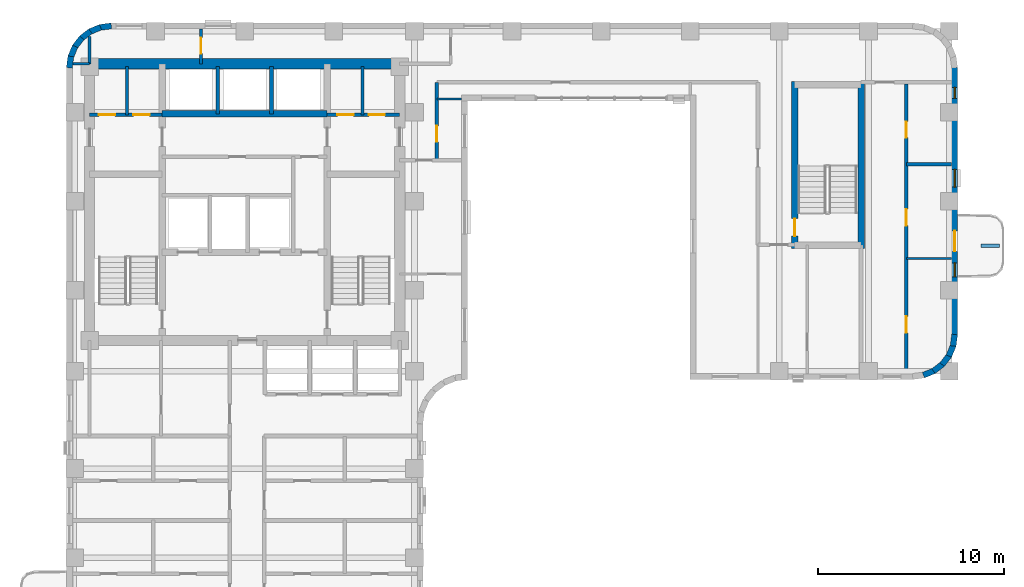
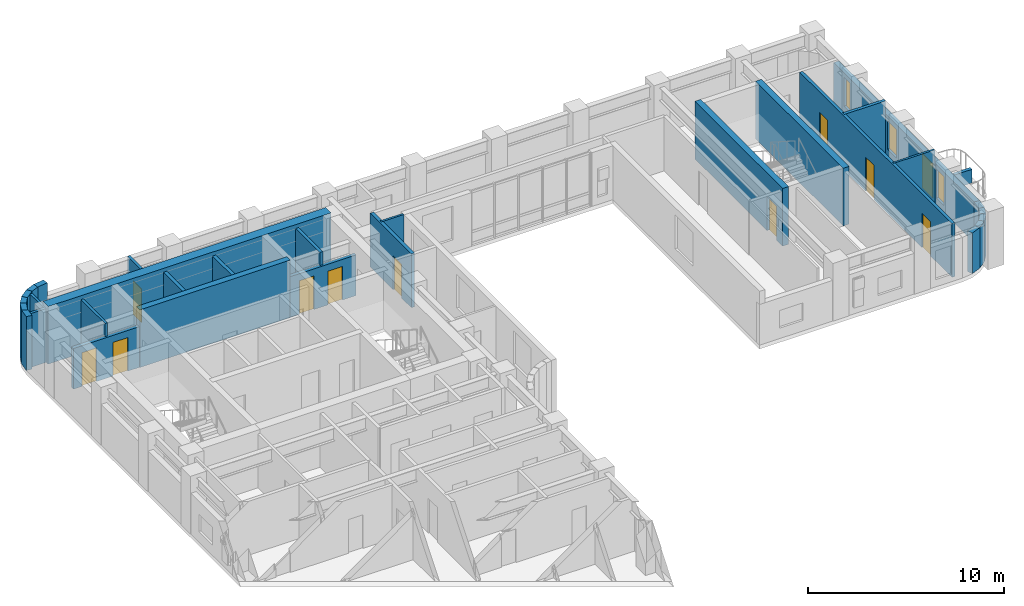
# One storey, part 7 of 11: 31 walls, 11 doors, 3 windows, 14 openings.
"""IFC4 building model written with IfcOpenShell, lengths in metres."""

from ifc_helpers import new_model, si_unit, direction, frame, frame_2d, origin, place, context, subcontext, project, spatial, rectangle, extrude, material, layer, layer_set, type_object, element, fill, save


model = new_model("IFC4")

# Units and contexts
model_context = context("Model", 3, precision=1e-05, world=origin(), true_north=direction((0.0, 1.0)))
body_context = subcontext(model_context, "Body", "Model", "MODEL_VIEW")
ifc_project = project(units=[si_unit("LENGTHUNIT", "METRE"), si_unit("AREAUNIT", "SQUARE_METRE"), si_unit("VOLUMEUNIT", "CUBIC_METRE"), si_unit("PLANEANGLEUNIT", "RADIAN"), si_unit("MASSUNIT", "GRAM", prefix="KILO")], contexts=[model_context])

# Site, building, storey
site_placement = place(None, origin())
site = spatial("IfcSite", under=ifc_project, at=site_placement, CompositionType="ELEMENT")
building_placement = place(site_placement, origin())
building = spatial("IfcBuilding", under=site, at=building_placement, Name="Orvandelia Arch Residences", CompositionType="ELEMENT")
storey_placement = place(building_placement, frame((0.0, 0.0, 168.39990234375)))
storey = spatial("IfcBuildingStorey", under=building, at=storey_placement, Name="L44", CompositionType="ELEMENT", Elevation=168.39990234375)

# Wall
ifc_material_1 = material(Name="Concrete C50/60", Category="concrete")
ifc_layer_1 = layer(ifc_material_1, 0.35009765625, Name="Concrete C50/60", Category="concrete")
ifc_layer_set_1 = layer_set([ifc_layer_1], Name="Concrete C50/60")
wall_type_1 = type_object("IfcWallType", Name="WL-CORE-350", PredefinedType="SHEAR", material=ifc_layer_set_1)
wall_1_placement = place(storey_placement, frame((9.9599609375, 43.10009765625, 0.0), z_axis=(0.0, 0.0, 1.0), x_axis=(1.0, 0.0, 0.0)))
element("IfcWall", 1, at=wall_1_placement, inside=storey, type_object=wall_type_1, Name="Core Shear Wall L44-HZ4", PredefinedType="SHEAR", context=body_context, shape_type="SweptSolid", body=[
    extrude(rectangle(XDim=8.880126953125, YDim=0.35009765625, at=frame_2d((4.43994140625, 0.0))), origin(), (0.0, 0.0, 1.0), 3.60009765625),
])

# Wall, opening, door
wall_2_placement = place(storey_placement, frame((44.02001953125, 35.864990234375, 0.0), z_axis=(0.0, 0.0, 1.0), x_axis=(0.0, 1.0, 0.0)))
wall_2 = element("IfcWall", 2, at=wall_2_placement, inside=storey, type_object=wall_type_1, Name="East Stair Core Shear Wall L44-W", PredefinedType="SHEAR", context=body_context, shape_type="SweptSolid", body=[
    extrude(rectangle(XDim=8.969970703125, YDim=0.35009765625, at=frame_2d((4.48486328125, 0.0))), origin(), (0.0, 0.0, 1.0), 3.60009765625),
])
opening_1_placement = place(wall_2_placement, frame((0.64990234375, 0.0, 0.0)))
opening_1 = element("IfcOpeningElement", 3, at=opening_1_placement, cuts=wall_2, Name="Opening D7", PredefinedType="OPENING", context=body_context, shape_type="SweptSolid", body=[
    extrude(rectangle(XDim=0.949951171875, YDim=2.10009765625, at=frame_2d((0.47509765625, 1.050048828125))), frame((0.0, 0.18505859375, 0.0), z_axis=(0.0, -1.0, 0.0), x_axis=(1.0, 0.0, 0.0)), (0.0, 0.0, 1.0), 0.3701171875),
])
ifc_material_2 = material(Name="Pressurised Stairwell Fire Door")
door_type_1 = type_object("IfcDoorType", Name="DR-STAIR-950", OperationType="NOTDEFINED", PredefinedType="DOOR", material=ifc_material_2)
door_1_placement = place(opening_1_placement, origin())
door_1 = element("IfcDoor", 4, at=door_1_placement, inside=storey, type_object=door_type_1, Name="East Stairwell ST-3 Fire Door L44", OperationType="SINGLE_SWING_LEFT", OverallHeight=2.10009765625, OverallWidth=0.949951171875, PredefinedType="DOOR", context=body_context, shape_type="SweptSolid", body=[
    extrude(rectangle(XDim=0.949951171875, YDim=2.10009765625, at=frame_2d((0.47509765625, 1.050048828125))), frame((0.0, 0.02490234375, 0.0), z_axis=(0.0, -1.0, 0.0), x_axis=(1.0, 0.0, 0.0)), (0.0, 0.0, 1.0), 0.050048828125),
])
fill(opening_1, door_1)

# Walls
wall_3_placement = place(storey_placement, frame((47.60009765625, 35.864990234375, 0.0), z_axis=(0.0, 0.0, 1.0), x_axis=(0.0, 1.0, 0.0)))
element("IfcWall", 5, at=wall_3_placement, inside=storey, type_object=wall_type_1, Name="East Stair Core Shear Wall L44-E", PredefinedType="SHEAR", context=body_context, shape_type="SweptSolid", body=[
    extrude(rectangle(XDim=8.969970703125, YDim=0.35009765625, at=frame_2d((4.48486328125, 0.0))), origin(), (0.0, 0.0, 1.0), 3.60009765625),
])
ifc_material_3 = material(Name="Concrete C60/75", Category="concrete")
ifc_layer_2 = layer(ifc_material_3, 0.550048828125, Name="Concrete C60/75", Category="concrete")
ifc_layer_set_2 = layer_set([ifc_layer_2], Name="Concrete C60/75")
wall_type_2 = type_object("IfcWallType", Name="WL-CORE-550", PredefinedType="SHEAR", material=ifc_layer_set_2)
wall_4_placement = place(storey_placement, frame((6.050048828125, 45.800048828125, 0.0), z_axis=(0.0, 0.0, 1.0), x_axis=(1.0, 0.0, 0.0)))
element("IfcWall", 6, at=wall_4_placement, inside=storey, type_object=wall_type_2, Name="Core Shear Wall L44-N", PredefinedType="SHEAR", context=body_context, shape_type="SweptSolid", body=[
    extrude(rectangle(XDim=16.699951171875, YDim=0.550048828125, at=frame_2d((8.35009765625, 0.0))), origin(), (0.0, 0.0, 1.0), 3.60009765625),
])

# Wall, opening, door
ifc_material_4 = material(Name="Fire-Rated Corridor Partition")
ifc_layer_3 = layer(ifc_material_4, 0.199951171875, Name="Fire-Rated Corridor Partition")
ifc_layer_set_3 = layer_set([ifc_layer_3], Name="Fire-Rated Corridor Partition")
wall_type_3 = type_object("IfcWallType", Name="WL-CORR-200", PredefinedType="PARTITIONING", material=ifc_layer_set_3)
wall_5_placement = place(storey_placement, frame((24.75, 40.60009765625, 0.0), z_axis=(0.0, 0.0, 1.0), x_axis=(0.0, 1.0, 0.0)))
wall_5 = element("IfcWall", 7, at=wall_5_placement, inside=storey, type_object=wall_type_3, Name="Interior Partition Wall WL-L44-ENP-LW", PredefinedType="PARTITIONING", context=body_context, shape_type="SweptSolid", body=[
    extrude(rectangle(XDim=4.199951171875, YDim=0.199951171875, at=frame_2d((2.10009765625, 0.0))), origin(), (0.0, 0.0, 1.0), 3.360107421875),
])
opening_2_placement = place(wall_5_placement, frame((1.0, 0.0, 0.0)))
opening_2 = element("IfcOpeningElement", 8, at=opening_2_placement, cuts=wall_5, Name="Opening D4", PredefinedType="OPENING", context=body_context, shape_type="SweptSolid", body=[
    extrude(rectangle(XDim=0.860107421875, YDim=2.10009765625, at=frame_2d((0.43017578125, 1.050048828125))), frame((0.0, 0.10986328125, 0.0), z_axis=(0.0, -1.0, 0.0), x_axis=(1.0, 0.0, 0.0)), (0.0, 0.0, 1.0), 0.219970703125),
])
ifc_material_5 = material(Name="Moisture-Sealed Timber Bathroom Door", Category="wood")
door_type_2 = type_object("IfcDoorType", Name="DR-WET-900", OperationType="NOTDEFINED", PredefinedType="DOOR", material=ifc_material_5)
door_2_placement = place(opening_2_placement, origin())
door_2 = element("IfcDoor", 9, at=door_2_placement, inside=storey, type_object=door_type_2, Name="DR-L44-VPWNK", OperationType="SINGLE_SWING_RIGHT", OverallHeight=2.10009765625, OverallWidth=0.860107421875, PredefinedType="DOOR", context=body_context, shape_type="SweptSolid", body=[
    extrude(rectangle(XDim=0.860107421875, YDim=2.10009765625, at=frame_2d((0.43017578125, 1.050048828125))), frame((0.0, 0.02490234375, 0.0), z_axis=(0.0, -1.0, 0.0), x_axis=(1.0, 0.0, 0.0)), (0.0, 0.0, 1.0), 0.050048828125),
])
fill(opening_2, door_2)

# Walls
ifc_material_6 = material(Name="Precast concrete C40/50", Category="concrete")
ifc_layer_4 = layer(ifc_material_6, 0.320068359375, Name="Precast concrete C40/50", Category="concrete")
ifc_layer_set_4 = layer_set([ifc_layer_4], Name="Precast concrete C40/50")
wall_type_4 = type_object("IfcWallType", Name="WL-EXT-STONE-320", PredefinedType="STANDARD", material=ifc_layer_set_4)
for number, where, z_axis, x_axis, name in (
    (10, (4.95849609375, 45.5791015625, 0.0), (0.0, 0.0, 1.0), (0.130555323746, 0.9914410257, 0.0), "Coral-Limestone Precast Facade Wall L44-001"),
    (11, (5.029541015625, 46.159912109375, 0.0), (0.0, 0.0, 1.0), (0.382650053678, 0.92389335771, 0.0), "Coral-Limestone Precast Facade Wall L44-002"),
):
    element("IfcWall", number, at=place(storey_placement, frame(where, z_axis=z_axis, x_axis=x_axis)), inside=storey, type_object=wall_type_4, Name=name, PredefinedType="STANDARD", context=body_context, shape_type="SweptSolid", body=[
        extrude(rectangle(XDim=0.62646484375, YDim=0.320068359375, at=frame_2d((0.313232421875, 0.0))), origin(), (0.0, 0.0, 1.0), 3.360107421875),
    ])
wall_6_placement = place(storey_placement, frame((5.248291015625, 46.70263671875, 0.0), z_axis=(0.0, 0.0, 1.0), x_axis=(0.608938521285, 0.7932174212, 0.0)))
element("IfcWall", 12, at=wall_6_placement, inside=storey, type_object=wall_type_4, Name="Coral-Limestone Precast Facade Wall L44-003", PredefinedType="STANDARD", context=body_context, shape_type="SweptSolid", body=[
    extrude(rectangle(XDim=0.626708984375, YDim=0.320068359375, at=frame_2d((0.3134765625, 0.0))), origin(), (0.0, 0.0, 1.0), 3.360107421875),
])
wall_7_placement = place(storey_placement, frame((5.600341796875, 47.170166015625, 0.0), z_axis=(0.0, 0.0, 1.0), x_axis=(0.793405610854, 0.608693302629, 0.0)))
element("IfcWall", 13, at=wall_7_placement, inside=storey, type_object=wall_type_4, Name="Coral-Limestone Precast Facade Wall L44-004", PredefinedType="STANDARD", context=body_context, shape_type="SweptSolid", body=[
    extrude(rectangle(XDim=0.62646484375, YDim=0.320068359375, at=frame_2d((0.313232421875, 0.0))), origin(), (0.0, 0.0, 1.0), 3.360107421875),
])
wall_8_placement = place(storey_placement, frame((6.061279296875, 47.53076171875, 0.0), z_axis=(0.0, 0.0, 1.0), x_axis=(0.923836271867, 0.382787856107, 0.0)))
element("IfcWall", 14, at=wall_8_placement, inside=storey, type_object=wall_type_4, Name="Coral-Limestone Precast Facade Wall L44-005", PredefinedType="STANDARD", context=body_context, shape_type="SweptSolid", body=[
    extrude(rectangle(XDim=0.626220703125, YDim=0.320068359375, at=frame_2d((0.31298828125, 0.0))), origin(), (0.0, 0.0, 1.0), 3.360107421875),
])
wall_9_placement = place(storey_placement, frame((6.599609375, 47.759521484375, 0.0), z_axis=(0.0, 0.0, 1.0), x_axis=(0.991447664465, 0.130504898859, 0.0)))
element("IfcWall", 15, at=wall_9_placement, inside=storey, type_object=wall_type_4, Name="Coral-Limestone Precast Facade Wall L44-006", PredefinedType="STANDARD", context=body_context, shape_type="SweptSolid", body=[
    extrude(rectangle(XDim=0.626708984375, YDim=0.320068359375, at=frame_2d((0.3134765625, 0.0))), origin(), (0.0, 0.0, 1.0), 3.360107421875),
])

# Wall, openings, door, windows
wall_10_placement = place(storey_placement, frame((52.639892578125, 45.60009765625, 0.0), z_axis=(0.0, 0.0, 1.0), x_axis=(0.0, -1.0, 0.0)))
wall_10 = element("IfcWall", 16, at=wall_10_placement, inside=storey, type_object=wall_type_4, Name="Coral-Limestone Precast Facade Wall L44-014", PredefinedType="STANDARD", context=body_context, shape_type="SweptSolid", body=[
    extrude(rectangle(XDim=14.400146484375, YDim=0.320068359375, at=frame_2d((7.2001953125, 0.0))), origin(), (0.0, 0.0, 1.0), 2.5400390625),
])
opening_3_placement = place(wall_10_placement, frame((8.800048828125, 0.0, 0.0)))
opening_3 = element("IfcOpeningElement", 17, at=opening_3_placement, cuts=wall_10, Name="Opening BD1", PredefinedType="OPENING", context=body_context, shape_type="SweptSolid", body=[
    extrude(rectangle(XDim=1.10009765625, YDim=2.14990234375, at=frame_2d((0.550048828125, 1.074951171875))), frame((0.0, 0.169921875, 0.0), z_axis=(0.0, -1.0, 0.0), x_axis=(1.0, 0.0, 0.0)), (0.0, 0.0, 1.0), 0.340087890625),
])
opening_4_placement = place(wall_10_placement, frame((10.51953125, 0.0, 0.449951171875)))
opening_4 = element("IfcOpeningElement", 18, at=opening_4_placement, cuts=wall_10, Name="Opening W11", PredefinedType="OPENING", context=body_context, shape_type="SweptSolid", body=[
    extrude(rectangle(XDim=0.75, YDim=1.800048828125, at=frame_2d((0.375, 0.89990234375))), frame((0.0, 0.169921875, 0.0), z_axis=(0.0, -1.0, 0.0), x_axis=(1.0, 0.0, 0.0)), (0.0, 0.0, 1.0), 0.340087890625),
])
opening_5_placement = place(wall_10_placement, frame((1.0625, 0.0, 0.449951171875)))
opening_5 = element("IfcOpeningElement", 19, at=opening_5_placement, cuts=wall_10, Name="Opening W12", PredefinedType="OPENING", context=body_context, shape_type="SweptSolid", body=[
    extrude(rectangle(XDim=0.60009765625, YDim=1.800048828125, at=frame_2d((0.300048828125, 0.89990234375))), frame((0.0, 0.169921875, 0.0), z_axis=(0.0, -1.0, 0.0), x_axis=(1.0, 0.0, 0.0)), (0.0, 0.0, 1.0), 0.340087890625),
])
opening_6_placement = place(wall_10_placement, frame((5.486083984375, 0.0, 0.449951171875)))
opening_6 = element("IfcOpeningElement", 20, at=opening_6_placement, cuts=wall_10, Name="Opening W4", PredefinedType="OPENING", context=body_context, shape_type="SweptSolid", body=[
    extrude(rectangle(XDim=0.949951171875, YDim=1.800048828125, at=frame_2d((0.47509765625, 0.89990234375))), frame((0.0, 0.169921875, 0.0), z_axis=(0.0, -1.0, 0.0), x_axis=(1.0, 0.0, 0.0)), (0.0, 0.0, 1.0), 0.340087890625),
])
ifc_material_7 = material(Name="Thermally Broken Aluminium Glazed Door", Category="aluminium")
door_type_3 = type_object("IfcDoorType", Name="DR-BAL-GLAZ-1100", OperationType="NOTDEFINED", PredefinedType="DOOR", material=ifc_material_7)
door_3_placement = place(opening_3_placement, origin())
door_3 = element("IfcDoor", 21, at=door_3_placement, inside=storey, type_object=door_type_3, Name="Tree Balcony Glazed Door BAL-L44-E1", OperationType="SINGLE_SWING_LEFT", OverallHeight=2.14990234375, OverallWidth=1.10009765625, PredefinedType="DOOR", context=body_context, shape_type="SweptSolid", body=[
    extrude(rectangle(XDim=1.10009765625, YDim=2.14990234375, at=frame_2d((0.550048828125, 1.074951171875))), frame((0.0, 0.02490234375, 0.0), z_axis=(0.0, -1.0, 0.0), x_axis=(1.0, 0.0, 0.0)), (0.0, 0.0, 1.0), 0.050048828125),
])
fill(opening_3, door_3)
ifc_material_8 = material(Name="Tempered Low-E Insulated Glazing", Category="glass")
window_type_1 = type_object("IfcWindowType", Name="WIN-BED-0750x1800", PartitioningType="SINGLE_PANEL", PredefinedType="WINDOW", material=ifc_material_8)
window_1_placement = place(opening_4_placement, origin())
window_1 = element("IfcWindow", 22, at=window_1_placement, inside=storey, type_object=window_type_1, Name="Recessed Punched Window L44-004", OverallHeight=1.800048828125, OverallWidth=0.75, PartitioningType="SINGLE_PANEL", PredefinedType="WINDOW", context=body_context, shape_type="SweptSolid", body=[
    extrude(rectangle(XDim=0.75, YDim=1.800048828125, at=frame_2d((0.375, 0.89990234375))), frame((0.0, 0.030029296875, 0.0), z_axis=(0.0, -1.0, 0.0), x_axis=(1.0, 0.0, 0.0)), (0.0, 0.0, 1.0), 0.06005859375),
])
fill(opening_4, window_1)
window_type_2 = type_object("IfcWindowType", Name="WIN-LAN-0600x1800", PartitioningType="SINGLE_PANEL", PredefinedType="WINDOW", material=ifc_material_8)
window_2_placement = place(opening_5_placement, origin())
window_2 = element("IfcWindow", 23, at=window_2_placement, inside=storey, type_object=window_type_2, Name="Recessed Punched Window L44-005", OverallHeight=1.800048828125, OverallWidth=0.60009765625, PartitioningType="SINGLE_PANEL", PredefinedType="WINDOW", context=body_context, shape_type="SweptSolid", body=[
    extrude(rectangle(XDim=0.60009765625, YDim=1.800048828125, at=frame_2d((0.300048828125, 0.89990234375))), frame((0.0, 0.030029296875, 0.0), z_axis=(0.0, -1.0, 0.0), x_axis=(1.0, 0.0, 0.0)), (0.0, 0.0, 1.0), 0.06005859375),
])
fill(opening_5, window_2)
window_type_3 = type_object("IfcWindowType", Name="WIN-RES-0950x1800", PartitioningType="SINGLE_PANEL", PredefinedType="WINDOW", material=ifc_material_8)
window_3_placement = place(opening_6_placement, origin())
window_3 = element("IfcWindow", 24, at=window_3_placement, inside=storey, type_object=window_type_3, Name="Recessed Punched Window L44-006", OverallHeight=1.800048828125, OverallWidth=0.949951171875, PartitioningType="SINGLE_PANEL", PredefinedType="WINDOW", context=body_context, shape_type="SweptSolid", body=[
    extrude(rectangle(XDim=0.949951171875, YDim=1.800048828125, at=frame_2d((0.47509765625, 0.89990234375))), frame((0.0, 0.030029296875, 0.0), z_axis=(0.0, -1.0, 0.0), x_axis=(1.0, 0.0, 0.0)), (0.0, 0.0, 1.0), 0.06005859375),
])
fill(opening_6, window_3)

# Walls
wall_11_placement = place(storey_placement, frame((52.641357421875, 31.220947265625, 0.0), z_axis=(0.0, 0.0, 1.0), x_axis=(-0.130504898859, -0.991447664465, 0.0)))
element("IfcWall", 25, at=wall_11_placement, inside=storey, type_object=wall_type_4, Name="Coral-Limestone Precast Facade Wall L44-015", PredefinedType="STANDARD", context=body_context, shape_type="SweptSolid", body=[
    extrude(rectangle(XDim=0.626708984375, YDim=0.320068359375, at=frame_2d((0.3134765625, 0.0))), origin(), (0.0, 0.0, 1.0), 2.5400390625),
])
wall_12_placement = place(storey_placement, frame((52.5703125, 30.639892578125, 0.0), z_axis=(0.0, 0.0, 1.0), x_axis=(-0.382455093999, -0.923974080304, 0.0)))
element("IfcWall", 26, at=wall_12_placement, inside=storey, type_object=wall_type_4, Name="Coral-Limestone Precast Facade Wall L44-016", PredefinedType="STANDARD", context=body_context, shape_type="SweptSolid", body=[
    extrude(rectangle(XDim=0.626220703125, YDim=0.320068359375, at=frame_2d((0.31298828125, 0.0))), origin(), (0.0, 0.0, 1.0), 2.5400390625),
])
wall_13_placement = place(storey_placement, frame((52.3515625, 30.097412109375, 0.0), z_axis=(0.0, 0.0, 1.0), x_axis=(-0.608693302629, -0.793405610854, 0.0)))
element("IfcWall", 27, at=wall_13_placement, inside=storey, type_object=wall_type_4, Name="Coral-Limestone Precast Facade Wall L44-017", PredefinedType="STANDARD", context=body_context, shape_type="SweptSolid", body=[
    extrude(rectangle(XDim=0.62646484375, YDim=0.320068359375, at=frame_2d((0.313232421875, 0.0))), origin(), (0.0, 0.0, 1.0), 2.5400390625),
])
wall_14_placement = place(storey_placement, frame((51.999755859375, 29.6298828125, 0.0), z_axis=(0.0, 0.0, 1.0), x_axis=(-0.7932174212, -0.608938521285, 0.0)))
element("IfcWall", 28, at=wall_14_placement, inside=storey, type_object=wall_type_4, Name="Coral-Limestone Precast Facade Wall L44-018", PredefinedType="STANDARD", context=body_context, shape_type="SweptSolid", body=[
    extrude(rectangle(XDim=0.626708984375, YDim=0.320068359375, at=frame_2d((0.3134765625, 0.0))), origin(), (0.0, 0.0, 1.0), 2.5400390625),
])
wall_15_placement = place(storey_placement, frame((51.538818359375, 29.269287109375, 0.0), z_axis=(0.0, 0.0, 1.0), x_axis=(-0.92389335771, -0.382650053678, 0.0)))
element("IfcWall", 29, at=wall_15_placement, inside=storey, type_object=wall_type_4, Name="Coral-Limestone Precast Facade Wall L44-019", PredefinedType="STANDARD", context=body_context, shape_type="SweptSolid", body=[
    extrude(rectangle(XDim=0.62646484375, YDim=0.320068359375, at=frame_2d((0.313232421875, 0.0))), origin(), (0.0, 0.0, 1.0), 2.5400390625),
])
ifc_material_9 = material(Name="Lightweight Gypsum Stud Partition")
ifc_layer_5 = layer(ifc_material_9, 0.1201171875, Name="Lightweight Gypsum Stud Partition")
ifc_layer_set_5 = layer_set([ifc_layer_5], Name="Lightweight Gypsum Stud Partition")
wall_type_5 = type_object("IfcWallType", Name="WL-PART-120", PredefinedType="PARTITIONING", material=ifc_layer_set_5)
wall_16_placement = place(storey_placement, frame((24.75, 43.89990234375, 0.0), z_axis=(0.0, 0.0, 1.0), x_axis=(1.0, 0.0, 0.0)))
element("IfcWall", 30, at=wall_16_placement, inside=storey, type_object=wall_type_5, Name="Interior Partition Wall WL-L44-VPWNK-N", PredefinedType="PARTITIONING", context=body_context, shape_type="SweptSolid", body=[
    extrude(rectangle(XDim=1.330078125, YDim=0.1201171875, at=frame_2d((0.6650390625, 0.0))), origin(), (0.0, 0.0, 1.0), 3.360107421875),
])
wall_17_placement = place(storey_placement, frame((50.04296875, 35.31591796875, 0.0), z_axis=(0.0, 0.0, 1.0), x_axis=(1.0, 0.0, 0.0)))
element("IfcWall", 31, at=wall_17_placement, inside=storey, type_object=wall_type_5, Name="Interior Partition Wall WL-L44-U07-H1", PredefinedType="PARTITIONING", context=body_context, shape_type="SweptSolid", body=[
    extrude(rectangle(XDim=2.43701171875, YDim=0.1201171875, at=frame_2d((1.218505859375, 0.0))), origin(), (0.0, 0.0, 1.0), 3.360107421875),
])
ifc_material_10 = material(Name="Acoustic Gypsum Stud Partition")
ifc_layer_6 = layer(ifc_material_10, 0.14990234375, Name="Acoustic Gypsum Stud Partition")
ifc_layer_set_6 = layer_set([ifc_layer_6], Name="Acoustic Gypsum Stud Partition")
wall_type_6 = type_object("IfcWallType", Name="WL-PART-150", PredefinedType="PARTITIONING", material=ifc_layer_set_6)
wall_18_placement = place(storey_placement, frame((8.06005859375, 43.050048828125, 0.0), z_axis=(0.0, 0.0, 1.0), x_axis=(0.0, 1.0, 0.0)))
element("IfcWall", 32, at=wall_18_placement, inside=storey, type_object=wall_type_6, Name="Interior Partition Wall WL-L44-CRELC-M", PredefinedType="PARTITIONING", context=body_context, shape_type="SweptSolid", body=[
    extrude(rectangle(XDim=2.599853515625, YDim=0.14990234375, at=frame_2d((1.2998046875, 0.0))), origin(), (0.0, 0.0, 1.0), 3.360107421875),
])
wall_19_placement = place(storey_placement, frame((5.159912109375, 45.800048828125, 0.0), z_axis=(0.0, 0.0, 1.0), x_axis=(1.0, 0.0, 0.0)))
element("IfcWall", 33, at=wall_19_placement, inside=storey, type_object=wall_type_6, Name="Interior Partition Wall WL-L44-WF-N", PredefinedType="PARTITIONING", context=body_context, shape_type="SweptSolid", body=[
    extrude(rectangle(XDim=0.89013671875, YDim=0.14990234375, at=frame_2d((0.445068359375, 0.0))), origin(), (0.0, 0.0, 1.0), 3.360107421875),
])
wall_20_placement = place(storey_placement, frame((6.050048828125, 45.800048828125, 0.0), z_axis=(0.0, 0.0, 1.0), x_axis=(0.0, 1.0, 0.0)))
element("IfcWall", 34, at=wall_20_placement, inside=storey, type_object=wall_type_6, Name="Interior Partition Wall WL-L44-NC-W6", PredefinedType="PARTITIONING", context=body_context, shape_type="SweptSolid", body=[
    extrude(rectangle(XDim=1.4599609375, YDim=0.14990234375, at=frame_2d((0.72998046875, 0.0))), origin(), (0.0, 0.0, 1.0), 3.360107421875),
])

# Wall, opening, door
wall_21_placement = place(storey_placement, frame((12.050048828125, 45.800048828125, 0.0), z_axis=(0.0, 0.0, 1.0), x_axis=(0.0, 1.0, 0.0)))
wall_21 = element("IfcWall", 35, at=wall_21_placement, inside=storey, type_object=wall_type_6, Name="Interior Partition Wall WL-L44-NC-M", PredefinedType="PARTITIONING", context=body_context, shape_type="SweptSolid", body=[
    extrude(rectangle(XDim=1.8798828125, YDim=0.14990234375, at=frame_2d((0.93994140625, 0.0))), origin(), (0.0, 0.0, 1.0), 3.360107421875),
])
opening_7_placement = place(wall_21_placement, frame((0.550048828125, 0.0, 0.0)))
opening_7 = element("IfcOpeningElement", 36, at=opening_7_placement, cuts=wall_21, Name="Opening D4", PredefinedType="OPENING", context=body_context, shape_type="SweptSolid", body=[
    extrude(rectangle(XDim=0.860107421875, YDim=2.10009765625, at=frame_2d((0.43017578125, 1.050048828125))), frame((0.0, 0.0849609375, 0.0), z_axis=(0.0, -1.0, 0.0), x_axis=(1.0, 0.0, 0.0)), (0.0, 0.0, 1.0), 0.169921875),
])
door_4_placement = place(opening_7_placement, origin())
door_4 = element("IfcDoor", 37, at=door_4_placement, inside=storey, type_object=door_type_2, Name="DR-L44-NCS1", OperationType="SINGLE_SWING_LEFT", OverallHeight=2.10009765625, OverallWidth=0.860107421875, PredefinedType="DOOR", context=body_context, shape_type="SweptSolid", body=[
    extrude(rectangle(XDim=0.860107421875, YDim=2.10009765625, at=frame_2d((0.43017578125, 1.050048828125))), frame((0.0, 0.02490234375, 0.0), z_axis=(0.0, -1.0, 0.0), x_axis=(1.0, 0.0, 0.0)), (0.0, 0.0, 1.0), 0.050048828125),
])
fill(opening_7, door_4)

# Wall
ifc_layer_7 = layer(ifc_material_6, 0.199951171875, Name="Precast concrete C40/50", Category="concrete")
ifc_layer_set_7 = layer_set([ifc_layer_7], Name="Precast concrete C40/50")
wall_type_7 = type_object("IfcWallType", Name="WL-PLANTER-200", PredefinedType="MOVABLE", material=ifc_layer_set_7)
wall_22_placement = place(storey_placement, frame((54.050048828125, 36.0, 0.0), z_axis=(0.0, 0.0, 1.0), x_axis=(1.0, 0.0, 0.0)))
element("IfcWall", 38, at=wall_22_placement, inside=storey, type_object=wall_type_7, Name="Balcony Precast Tree Planter BAL-L44-E1", PredefinedType="MOVABLE", context=body_context, shape_type="SweptSolid", body=[
    extrude(rectangle(XDim=1.0, YDim=0.199951171875, at=frame_2d((0.5, 0.0))), origin(), (0.0, 0.0, 1.0), 0.85009765625),
])

# Wall, openings, doors
ifc_material_11 = material(Name="Fire-Rated Shaft Enclosure Wall")
ifc_layer_8 = layer(ifc_material_11, 0.199951171875, Name="Fire-Rated Shaft Enclosure Wall")
ifc_layer_set_8 = layer_set([ifc_layer_8], Name="Fire-Rated Shaft Enclosure Wall")
wall_type_8 = type_object("IfcWallType", Name="WL-SHAFT-200", PredefinedType="POLYGONAL", material=ifc_layer_set_8)
wall_23_placement = place(storey_placement, frame((18.840087890625, 43.050048828125, 0.0), z_axis=(0.0, 0.0, 1.0), x_axis=(1.0, 0.0, 0.0)))
wall_23 = element("IfcWall", 39, at=wall_23_placement, inside=storey, type_object=wall_type_8, Name="Interior Partition Wall WL-L44-HLE-N", PredefinedType="POLYGONAL", context=body_context, shape_type="SweptSolid", body=[
    extrude(rectangle(XDim=3.909912109375, YDim=0.199951171875, at=frame_2d((1.955078125, 0.0))), origin(), (0.0, 0.0, 1.0), 2.5400390625),
])
opening_8_placement = place(wall_23_placement, frame((0.550048828125, 0.0, 0.0)))
opening_8 = element("IfcOpeningElement", 40, at=opening_8_placement, cuts=wall_23, Name="Opening D5", PredefinedType="OPENING", context=body_context, shape_type="SweptSolid", body=[
    extrude(rectangle(XDim=0.8798828125, YDim=2.10009765625, at=frame_2d((0.43994140625, 1.050048828125))), frame((0.0, 0.10986328125, 0.0), z_axis=(0.0, -1.0, 0.0), x_axis=(1.0, 0.0, 0.0)), (0.0, 0.0, 1.0), 0.219970703125),
])
opening_9_placement = place(wall_23_placement, frame((2.25, 0.0, 0.0)))
opening_9 = element("IfcOpeningElement", 41, at=opening_9_placement, cuts=wall_23, Name="Opening D4", PredefinedType="OPENING", context=body_context, shape_type="SweptSolid", body=[
    extrude(rectangle(XDim=0.860107421875, YDim=2.10009765625, at=frame_2d((0.43017578125, 1.050048828125))), frame((0.0, 0.10986328125, 0.0), z_axis=(0.0, -1.0, 0.0), x_axis=(1.0, 0.0, 0.0)), (0.0, 0.0, 1.0), 0.219970703125),
])
ifc_material_12 = material(Name="Painted Galvanised Steel Service Door", Category="steel")
door_type_4 = type_object("IfcDoorType", Name="DR-SRV-880", OperationType="NOTDEFINED", PredefinedType="DOOR", material=ifc_material_12)
door_5_placement = place(opening_8_placement, origin())
door_5 = element("IfcDoor", 42, at=door_5_placement, inside=storey, type_object=door_type_4, Name="DR-L44-CSB1", OperationType="SINGLE_SWING_LEFT", OverallHeight=2.10009765625, OverallWidth=0.8798828125, PredefinedType="DOOR", context=body_context, shape_type="SweptSolid", body=[
    extrude(rectangle(XDim=0.8798828125, YDim=2.10009765625, at=frame_2d((0.43994140625, 1.050048828125))), frame((0.0, 0.02490234375, 0.0), z_axis=(0.0, -1.0, 0.0), x_axis=(1.0, 0.0, 0.0)), (0.0, 0.0, 1.0), 0.050048828125),
])
fill(opening_8, door_5)
door_6_placement = place(opening_9_placement, origin())
door_6 = element("IfcDoor", 43, at=door_6_placement, inside=storey, type_object=door_type_2, Name="DR-L44-CSB2", OperationType="SINGLE_SWING_RIGHT", OverallHeight=2.10009765625, OverallWidth=0.860107421875, PredefinedType="DOOR", context=body_context, shape_type="SweptSolid", body=[
    extrude(rectangle(XDim=0.860107421875, YDim=2.10009765625, at=frame_2d((0.43017578125, 1.050048828125))), frame((0.0, 0.02490234375, 0.0), z_axis=(0.0, -1.0, 0.0), x_axis=(1.0, 0.0, 0.0)), (0.0, 0.0, 1.0), 0.050048828125),
])
fill(opening_9, door_6)

wall_24_placement = place(storey_placement, frame((6.050048828125, 43.050048828125, 0.0), z_axis=(0.0, 0.0, 1.0), x_axis=(1.0, 0.0, 0.0)))
wall_24 = element("IfcWall", 44, at=wall_24_placement, inside=storey, type_object=wall_type_8, Name="Interior Partition Wall WL-L44-HLW-N", PredefinedType="POLYGONAL", context=body_context, shape_type="SweptSolid", body=[
    extrude(rectangle(XDim=3.909912109375, YDim=0.199951171875, at=frame_2d((1.955078125, 0.0))), origin(), (0.0, 0.0, 1.0), 2.5400390625),
])
opening_10_placement = place(wall_24_placement, frame((0.5, 0.0, 0.0)))
opening_10 = element("IfcOpeningElement", 45, at=opening_10_placement, cuts=wall_24, Name="Opening D5", PredefinedType="OPENING", context=body_context, shape_type="SweptSolid", body=[
    extrude(rectangle(XDim=0.8798828125, YDim=2.10009765625, at=frame_2d((0.43994140625, 1.050048828125))), frame((0.0, 0.10986328125, 0.0), z_axis=(0.0, -1.0, 0.0), x_axis=(1.0, 0.0, 0.0)), (0.0, 0.0, 1.0), 0.219970703125),
])
opening_11_placement = place(wall_24_placement, frame((2.35009765625, 0.0, 0.0)))
opening_11 = element("IfcOpeningElement", 46, at=opening_11_placement, cuts=wall_24, Name="Opening D5", PredefinedType="OPENING", context=body_context, shape_type="SweptSolid", body=[
    extrude(rectangle(XDim=0.8798828125, YDim=2.10009765625, at=frame_2d((0.43994140625, 1.050048828125))), frame((0.0, 0.10986328125, 0.0), z_axis=(0.0, -1.0, 0.0), x_axis=(1.0, 0.0, 0.0)), (0.0, 0.0, 1.0), 0.219970703125),
])
door_7_placement = place(opening_10_placement, origin())
door_7 = element("IfcDoor", 47, at=door_7_placement, inside=storey, type_object=door_type_4, Name="DR-L44-CRELC1", OperationType="SINGLE_SWING_LEFT", OverallHeight=2.10009765625, OverallWidth=0.8798828125, PredefinedType="DOOR", context=body_context, shape_type="SweptSolid", body=[
    extrude(rectangle(XDim=0.8798828125, YDim=2.10009765625, at=frame_2d((0.43994140625, 1.050048828125))), frame((0.0, 0.02490234375, 0.0), z_axis=(0.0, -1.0, 0.0), x_axis=(1.0, 0.0, 0.0)), (0.0, 0.0, 1.0), 0.050048828125),
])
fill(opening_10, door_7)
door_8_placement = place(opening_11_placement, origin())
door_8 = element("IfcDoor", 48, at=door_8_placement, inside=storey, type_object=door_type_4, Name="DR-L44-CRELC2", OperationType="SINGLE_SWING_RIGHT", OverallHeight=2.10009765625, OverallWidth=0.8798828125, PredefinedType="DOOR", context=body_context, shape_type="SweptSolid", body=[
    extrude(rectangle(XDim=0.8798828125, YDim=2.10009765625, at=frame_2d((0.43994140625, 1.050048828125))), frame((0.0, 0.02490234375, 0.0), z_axis=(0.0, -1.0, 0.0), x_axis=(1.0, 0.0, 0.0)), (0.0, 0.0, 1.0), 0.050048828125),
])
fill(opening_11, door_8)

# Walls
for number, where, z_axis, x_axis, name in (
    (49, (12.949951171875, 43.10009765625, 0.0), (0.0, 0.0, 1.0), (0.0, 1.0, 0.0), "Interior Partition Wall WL-L44-PHD1"),
    (50, (15.85009765625, 43.10009765625, 0.0), (0.0, 0.0, 1.0), (0.0, 1.0, 0.0), "Interior Partition Wall WL-L44-PHD2"),
):
    element("IfcWall", number, at=place(storey_placement, frame(where, z_axis=z_axis, x_axis=x_axis)), inside=storey, type_object=wall_type_8, Name=name, PredefinedType="POLYGONAL", context=body_context, shape_type="SweptSolid", body=[
        extrude(rectangle(XDim=2.5498046875, YDim=0.199951171875, at=frame_2d((1.27490234375, 0.0))), origin(), (0.0, 0.0, 1.0), 3.360107421875),
    ])
ifc_material_13 = material(Name="Moisture-Resistant Plumbing Wall")
ifc_layer_9 = layer(ifc_material_13, 0.179931640625, Name="Moisture-Resistant Plumbing Wall")
ifc_layer_set_9 = layer_set([ifc_layer_9], Name="Moisture-Resistant Plumbing Wall")
wall_type_9 = type_object("IfcWallType", Name="WL-WET-180", PredefinedType="PLUMBINGWALL", material=ifc_layer_set_9)
wall_25_placement = place(storey_placement, frame((20.75, 43.050048828125, 0.0), z_axis=(0.0, 0.0, 1.0), x_axis=(0.0, 1.0, 0.0)))
element("IfcWall", 51, at=wall_25_placement, inside=storey, type_object=wall_type_9, Name="Interior Partition Wall WL-L44-CSB-1", PredefinedType="PLUMBINGWALL", context=body_context, shape_type="SweptSolid", body=[
    extrude(rectangle(XDim=2.599853515625, YDim=0.179931640625, at=frame_2d((1.2998046875, 0.0))), origin(), (0.0, 0.0, 1.0), 3.360107421875),
])

# Wall, openings, doors
wall_26_placement = place(storey_placement, frame((50.04296875, 29.1201171875, 0.0), z_axis=(0.0, 0.0, 1.0), x_axis=(0.0, 1.0, 0.0)))
wall_26 = element("IfcWall", 52, at=wall_26_placement, inside=storey, type_object=wall_type_9, Name="Interior Partition Wall WL-L44-U07-VT", PredefinedType="PLUMBINGWALL", context=body_context, shape_type="SweptSolid", body=[
    extrude(rectangle(XDim=15.579833984375, YDim=0.179931640625, at=frame_2d((7.7900390625, 0.0))), origin(), (0.0, 0.0, 1.0), 3.360107421875),
])
opening_12_placement = place(wall_26_placement, frame((2.1826171875, 0.0, 0.0)))
opening_12 = element("IfcOpeningElement", 53, at=opening_12_placement, cuts=wall_26, Name="Opening D3", PredefinedType="OPENING", context=body_context, shape_type="SweptSolid", body=[
    extrude(rectangle(XDim=0.89990234375, YDim=2.14990234375, at=frame_2d((0.449951171875, 1.074951171875))), frame((0.0, 0.10009765625, 0.0), z_axis=(0.0, -1.0, 0.0), x_axis=(1.0, 0.0, 0.0)), (0.0, 0.0, 1.0), 0.199951171875),
])
opening_13_placement = place(wall_26_placement, frame((7.958740234375, 0.0, 0.0)))
opening_13 = element("IfcOpeningElement", 54, at=opening_13_placement, cuts=wall_26, Name="Opening D3", PredefinedType="OPENING", context=body_context, shape_type="SweptSolid", body=[
    extrude(rectangle(XDim=0.89990234375, YDim=2.14990234375, at=frame_2d((0.449951171875, 1.074951171875))), frame((0.0, 0.10009765625, 0.0), z_axis=(0.0, -1.0, 0.0), x_axis=(1.0, 0.0, 0.0)), (0.0, 0.0, 1.0), 0.199951171875),
])
opening_14_placement = place(wall_26_placement, frame((12.710693359375, 0.0, 0.0)))
opening_14 = element("IfcOpeningElement", 55, at=opening_14_placement, cuts=wall_26, Name="Opening D4", PredefinedType="OPENING", context=body_context, shape_type="SweptSolid", body=[
    extrude(rectangle(XDim=0.860107421875, YDim=2.10009765625, at=frame_2d((0.43017578125, 1.050048828125))), frame((0.0, 0.10009765625, 0.0), z_axis=(0.0, -1.0, 0.0), x_axis=(1.0, 0.0, 0.0)), (0.0, 0.0, 1.0), 0.199951171875),
])
ifc_material_14 = material(Name="Engineered Timber Flush Door", Category="wood")
door_type_5 = type_object("IfcDoorType", Name="DR-INT-900", OperationType="NOTDEFINED", PredefinedType="DOOR", material=ifc_material_14)
door_9_placement = place(opening_12_placement, origin())
door_9 = element("IfcDoor", 56, at=door_9_placement, inside=storey, type_object=door_type_5, Name="DR-L44-U07-BD1", OperationType="SINGLE_SWING_LEFT", OverallHeight=2.14990234375, OverallWidth=0.89990234375, PredefinedType="DOOR", context=body_context, shape_type="SweptSolid", body=[
    extrude(rectangle(XDim=0.89990234375, YDim=2.14990234375, at=frame_2d((0.449951171875, 1.074951171875))), frame((0.0, 0.02490234375, 0.0), z_axis=(0.0, -1.0, 0.0), x_axis=(1.0, 0.0, 0.0)), (0.0, 0.0, 1.0), 0.050048828125),
])
fill(opening_12, door_9)
door_10_placement = place(opening_13_placement, origin())
door_10 = element("IfcDoor", 57, at=door_10_placement, inside=storey, type_object=door_type_5, Name="DR-L44-U07-KIT", OperationType="SINGLE_SWING_RIGHT", OverallHeight=2.14990234375, OverallWidth=0.89990234375, PredefinedType="DOOR", context=body_context, shape_type="SweptSolid", body=[
    extrude(rectangle(XDim=0.89990234375, YDim=2.14990234375, at=frame_2d((0.449951171875, 1.074951171875))), frame((0.0, 0.02490234375, 0.0), z_axis=(0.0, -1.0, 0.0), x_axis=(1.0, 0.0, 0.0)), (0.0, 0.0, 1.0), 0.050048828125),
])
fill(opening_13, door_10)
door_11_placement = place(opening_14_placement, origin())
door_11 = element("IfcDoor", 58, at=door_11_placement, inside=storey, type_object=door_type_2, Name="DR-L44-U07-BTH", OperationType="SINGLE_SWING_LEFT", OverallHeight=2.10009765625, OverallWidth=0.860107421875, PredefinedType="DOOR", context=body_context, shape_type="SweptSolid", body=[
    extrude(rectangle(XDim=0.860107421875, YDim=2.10009765625, at=frame_2d((0.43017578125, 1.050048828125))), frame((0.0, 0.02490234375, 0.0), z_axis=(0.0, -1.0, 0.0), x_axis=(1.0, 0.0, 0.0)), (0.0, 0.0, 1.0), 0.050048828125),
])
fill(opening_14, door_11)

# Wall
wall_27_placement = place(storey_placement, frame((50.04296875, 40.383056640625, 0.0), z_axis=(0.0, 0.0, 1.0), x_axis=(1.0, 0.0, 0.0)))
element("IfcWall", 59, at=wall_27_placement, inside=storey, type_object=wall_type_9, Name="Interior Partition Wall WL-L44-U07-H2", PredefinedType="PLUMBINGWALL", context=body_context, shape_type="SweptSolid", body=[
    extrude(rectangle(XDim=2.43701171875, YDim=0.179931640625, at=frame_2d((1.218505859375, 0.0))), origin(), (0.0, 0.0, 1.0), 3.360107421875),
])

save(model, "model.ifc")
